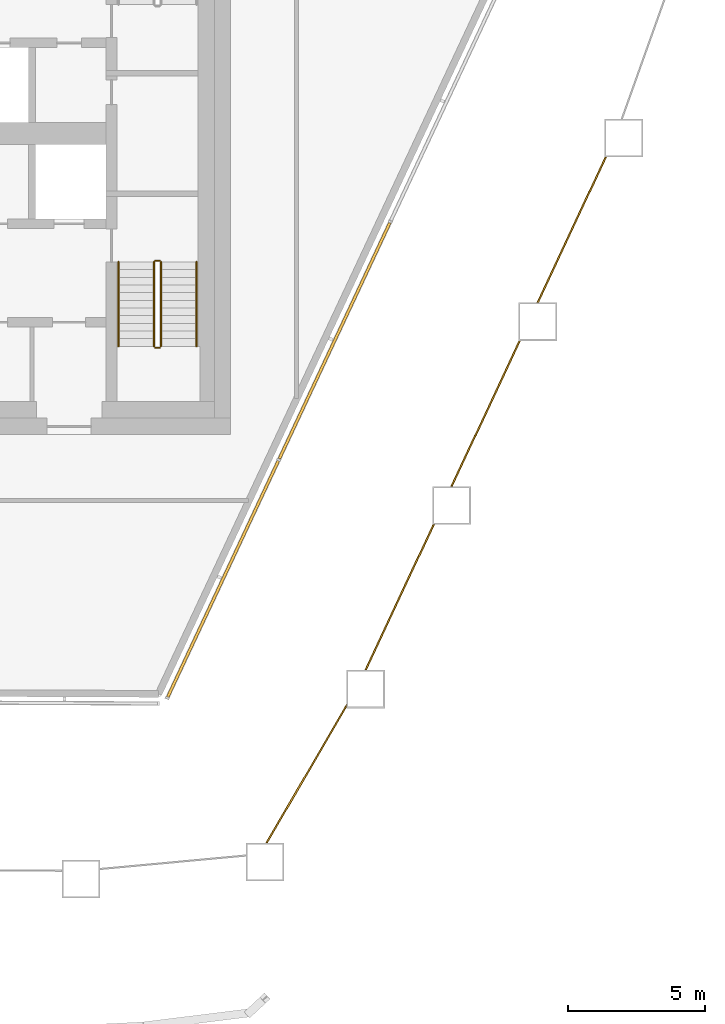
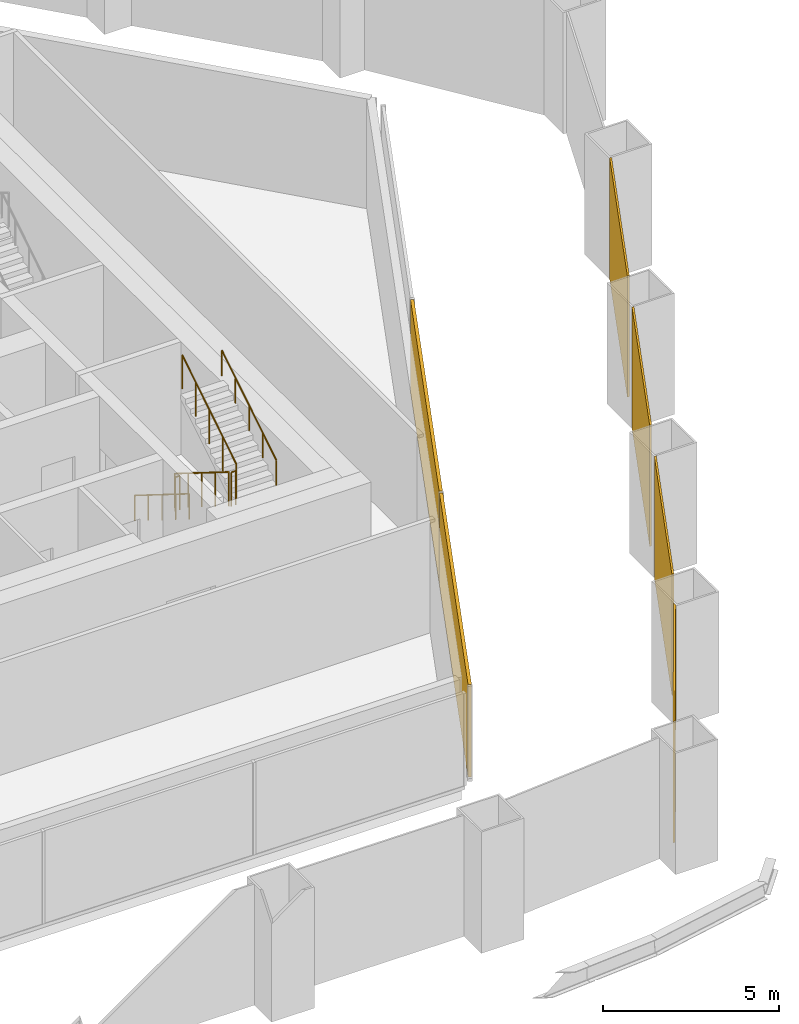
# One storey, part 15 of 18: 6 coverings, 6 railings, 1 element without a shape of its own.
"""IFC4 building model written with IfcOpenShell, lengths in metres."""

from ifc_helpers import new_model, si_unit, direction, frame, origin, origin_2d, place, context, subcontext, project, spatial, polyline, rectangle, circle, outline, extrude, material, layer, layer_set, type_object, element, aggregate, save


model = new_model("IFC4")

# Units and contexts
model_context = context("Model", 3, precision=1e-05, world=origin(), true_north=direction((0.0, 1.0)))
body_context = subcontext(model_context, "Body", "Model", "MODEL_VIEW")
ifc_project = project(units=[si_unit("LENGTHUNIT", "METRE"), si_unit("AREAUNIT", "SQUARE_METRE"), si_unit("VOLUMEUNIT", "CUBIC_METRE"), si_unit("PLANEANGLEUNIT", "RADIAN"), si_unit("MASSUNIT", "GRAM", prefix="KILO")], contexts=[model_context])

# Site, building, storey
site_placement = place(None, origin())
site = spatial("IfcSite", under=ifc_project, at=site_placement, CompositionType="ELEMENT")
building_placement = place(site_placement, origin())
building = spatial("IfcBuilding", under=site, at=building_placement, Name="Dongbaek Canopy Tower", CompositionType="ELEMENT")
storey_placement = place(building_placement, frame((0.0, 0.0, 371.60009765625)))
storey = spatial("IfcBuildingStorey", under=building, at=storey_placement, Name="L80", CompositionType="ELEMENT", Elevation=371.60009765625)

# Coverings
ifc_material_1 = material(Name="Perforated pale metal")
ifc_layer_1 = layer(ifc_material_1, 0.06005859375)
ifc_layer_set_1 = layer_set([ifc_layer_1], Name="Crown plant screen")
covering_type_1 = type_object("IfcCoveringType", Name="Crown plant screen", PredefinedType="CLADDING", material=ifc_layer_set_1)
covering_1_placement = place(storey_placement, origin())
element("IfcCovering", 1, at=covering_1_placement, inside=storey, type_object=covering_type_1, Name="Crown plant screen 9 L80", PredefinedType="CLADDING", context=body_context, shape_type="SweptSolid", body=[
    extrude(outline(polyline([(15.346923828125, -25.906982421875), (15.277587890625, -25.906982421875), (18.22509765625, -20.8427734375), (18.22509765625, -20.9619140625), (15.346923828125, -25.906982421875)])), origin(), (0.0, 0.0, 1.0), 4.199951171875),
])
covering_2_placement = place(storey_placement, origin())
element("IfcCovering", 2, at=covering_2_placement, inside=storey, type_object=covering_type_1, Name="Crown plant screen 10 L80", PredefinedType="CLADDING", context=body_context, shape_type="SweptSolid", body=[
    extrude(outline(polyline([(18.954833984375, -19.595947265625), (18.888671875, -19.595947265625), (21.37548828125, -14.2880859375), (21.44189453125, -14.2880859375), (18.954833984375, -19.595947265625)])), origin(), (0.0, 0.0, 1.0), 4.199951171875),
])
covering_3_placement = place(storey_placement, origin())
element("IfcCovering", 3, at=covering_3_placement, inside=storey, type_object=covering_type_1, Name="Crown plant screen 11 L80", PredefinedType="CLADDING", context=body_context, shape_type="SweptSolid", body=[
    extrude(outline(polyline([(22.09765625, -12.887939453125), (22.031494140625, -12.887939453125), (24.517822265625, -7.5791015625), (24.583984375, -7.5791015625), (22.09765625, -12.887939453125)])), origin(), (0.0, 0.0, 1.0), 4.199951171875),
])
covering_4_placement = place(storey_placement, origin())
element("IfcCovering", 4, at=covering_4_placement, inside=storey, type_object=covering_type_1, Name="Crown plant screen 12 L80", PredefinedType="CLADDING", context=body_context, shape_type="SweptSolid", body=[
    extrude(outline(polyline([(25.239501953125, -6.178955078125), (25.17333984375, -6.178955078125), (27.658935546875, -0.8701171875), (27.72509765625, -0.8701171875), (25.239501953125, -6.178955078125)])), origin(), (0.0, 0.0, 1.0), 4.199951171875),
])

# Curtain wall, coverings
ifc_material_2 = material(Name="Aluminium 6063-T6 pale anodised", Category="aluminium")
ifc_layer_2 = layer(ifc_material_2, 0.14990234375)
ifc_layer_set_2 = layer_set([ifc_layer_2], Name="CW-7 louvre curtain wall")
curtain_wall_type = type_object("IfcCurtainWallType", Name="CW-7 louvre curtain wall", PredefinedType="NOTDEFINED", material=ifc_layer_set_2)
curtain_wall_placement = place(storey_placement, origin())
curtain_wall = element("IfcCurtainWall", 5, at=curtain_wall_placement, inside=storey, type_object=curtain_wall_type, Name="CW-7 louvre wall L80 F1", PredefinedType="NOTDEFINED")
ifc_material_3 = material(Name="Aluminium 6063-T6 pale metal louvre blades", Category="aluminium")
ifc_layer_3 = layer(ifc_material_3, 0.10009765625)
ifc_layer_set_3 = layer_set([ifc_layer_3], Name="Louvre LV bank 100 x 3200")
covering_type_2 = type_object("IfcCoveringType", Name="Louvre LV bank 100 x 3200", PredefinedType="CLADDING", material=ifc_layer_set_3)
covering_5_placement = place(storey_placement, frame((13.72021484375, -16.27001953125, 0.2998046875), z_axis=(0.0, 0.0, 1.0), x_axis=(0.42412286138, 0.905604659029, 0.0)))
covering_5 = element("IfcCovering", 6, at=covering_5_placement, type_object=covering_type_2, Name="Louvre L80 F1.1.1", PredefinedType="CLADDING", context=body_context, shape_type="SweptSolid", body=[
    extrude(rectangle(XDim=9.510498046875, YDim=0.10009765625, at=origin_2d()), origin(), (0.0, 0.0, 1.0), 3.199951171875),
])
covering_6_placement = place(storey_placement, frame((17.7919921875, -7.575927734375, 0.2998046875), z_axis=(0.0, 0.0, 1.0), x_axis=(0.42412286138, 0.905604659029, 0.0)))
covering_6 = element("IfcCovering", 7, at=covering_6_placement, type_object=covering_type_2, Name="Louvre L80 F1.1.2", PredefinedType="CLADDING", context=body_context, shape_type="SweptSolid", body=[
    extrude(rectangle(XDim=9.510498046875, YDim=0.10009765625, at=origin_2d()), origin(), (0.0, 0.0, 1.0), 3.199951171875),
])
aggregate(curtain_wall, [covering_5, covering_6])

# Railings
ifc_material_4 = material(Name="Stainless steel tube and balusters", Category="steel")
railing_type_1 = type_object("IfcRailingType", Name="Stair guard 1200", PredefinedType="GUARDRAIL", material=ifc_material_4)
railing_1_placement = place(storey_placement, frame((11.199951171875, -4.699951171875, 0.1748046875)))
element("IfcRailing", 8, at=railing_1_placement, inside=storey, type_object=railing_type_1, Name="L80 ST-B stair guard 1", PredefinedType="GUARDRAIL", context=body_context, shape_type="SweptSolid", body=[
    extrude(circle(Radius=0.02392578125, at=origin_2d()), frame((0.0, 0.0, 1.17578125), z_axis=(0.0, -0.847998304005, 0.529998940003), x_axis=(1.0, 0.0, 0.0)), (0.0, 0.0, 1.0), 3.632080078125),
    extrude(circle(Radius=0.02099609375, at=origin_2d()), origin(), (0.0, 0.0, 1.0), 1.15185546875),
    extrude(circle(Radius=0.02099609375, at=origin_2d()), frame((0.0, -0.77001953125, 0.481201171875)), (0.0, 0.0, 1.0), 1.15185546875),
    extrude(circle(Radius=0.02099609375, at=origin_2d()), frame((0.0, -1.5400390625, 0.96240234375)), (0.0, 0.0, 1.0), 1.15185546875),
    extrude(circle(Radius=0.02099609375, at=origin_2d()), frame((0.0, -2.31005859375, 1.44384765625)), (0.0, 0.0, 1.0), 1.15185546875),
    extrude(circle(Radius=0.02099609375, at=origin_2d()), frame((0.0, -3.080078125, 1.925048828125)), (0.0, 0.0, 1.0), 1.15185546875),
])
railing_2_placement = place(storey_placement, frame((11.25, -7.830078125, 2.099853515625)))
element("IfcRailing", 9, at=railing_2_placement, inside=storey, type_object=railing_type_1, Name="L80 ST-B stair guard 2", PredefinedType="GUARDRAIL", context=body_context, shape_type="SweptSolid", body=[
    extrude(circle(Radius=0.02392578125, at=origin_2d()), frame((0.0, 0.0, 1.17578125), z_axis=(1.0, 0.0, 0.0), x_axis=(0.0, 1.0, 0.0)), (0.0, 0.0, 1.0), 0.14990234375),
    extrude(circle(Radius=0.02099609375, at=origin_2d()), origin(), (0.0, 0.0, 1.0), 1.15185546875),
    extrude(circle(Radius=0.02099609375, at=origin_2d()), frame((0.14990234375, 0.0, 0.0)), (0.0, 0.0, 1.0), 1.15185546875),
])
railing_3_placement = place(storey_placement, frame((11.449951171875, -7.780029296875, 2.27490234375)))
element("IfcRailing", 10, at=railing_3_placement, inside=storey, type_object=railing_type_1, Name="L80 ST-B stair guard 3", PredefinedType="GUARDRAIL", context=body_context, shape_type="SweptSolid", body=[
    extrude(circle(Radius=0.02392578125, at=origin_2d()), frame((0.0, 0.0, 1.17578125), z_axis=(0.0, 0.847998304005, 0.529998940003), x_axis=(-1.0, 0.0, 0.0)), (0.0, 0.0, 1.0), 3.632080078125),
    extrude(circle(Radius=0.02099609375, at=origin_2d()), origin(), (0.0, 0.0, 1.0), 1.15185546875),
    extrude(circle(Radius=0.02099609375, at=origin_2d()), frame((0.0, 0.77001953125, 0.481201171875)), (0.0, 0.0, 1.0), 1.15185546875),
    extrude(circle(Radius=0.02099609375, at=origin_2d()), frame((0.0, 1.5400390625, 0.96240234375)), (0.0, 0.0, 1.0), 1.15185546875),
    extrude(circle(Radius=0.02099609375, at=origin_2d()), frame((0.0, 2.31005859375, 1.44384765625)), (0.0, 0.0, 1.0), 1.15185546875),
    extrude(circle(Radius=0.02099609375, at=origin_2d()), frame((0.0, 3.080078125, 1.925048828125)), (0.0, 0.0, 1.0), 1.15185546875),
])
railing_4_placement = place(storey_placement, frame((11.25, -4.64990234375, 0.0)))
element("IfcRailing", 11, at=railing_4_placement, inside=storey, type_object=railing_type_1, Name="L80 ST-B stair guard 4", PredefinedType="GUARDRAIL", context=body_context, shape_type="SweptSolid", body=[
    extrude(circle(Radius=0.02392578125, at=origin_2d()), frame((0.0, 0.0, 1.17578125), z_axis=(1.0, 0.0, 0.0), x_axis=(0.0, 1.0, 0.0)), (0.0, 0.0, 1.0), 0.14990234375),
    extrude(circle(Radius=0.02099609375, at=origin_2d()), origin(), (0.0, 0.0, 1.0), 1.15185546875),
    extrude(circle(Radius=0.02099609375, at=origin_2d()), frame((0.14990234375, 0.0, 0.0)), (0.0, 0.0, 1.0), 1.15185546875),
])
ifc_material_5 = material(Name="Stainless steel tube", Category="steel")
railing_type_2 = type_object("IfcRailingType", Name="Stair handrail 900", PredefinedType="HANDRAIL", material=ifc_material_5)
railing_5_placement = place(storey_placement, frame((9.89990234375, -4.699951171875, 0.1748046875)))
element("IfcRailing", 12, at=railing_5_placement, inside=storey, type_object=railing_type_2, Name="L80 ST-B stair handrail 1", PredefinedType="HANDRAIL", context=body_context, shape_type="SweptSolid", body=[
    extrude(circle(Radius=0.02392578125, at=origin_2d()), frame((0.0, 0.0, 0.8759765625), z_axis=(0.0, -0.847998304005, 0.529998940003), x_axis=(1.0, 0.0, 0.0)), (0.0, 0.0, 1.0), 3.632080078125),
    extrude(circle(Radius=0.02099609375, at=origin_2d()), origin(), (0.0, 0.0, 1.0), 0.851806640625),
    extrude(circle(Radius=0.02099609375, at=origin_2d()), frame((0.0, -0.77001953125, 0.481201171875)), (0.0, 0.0, 1.0), 0.851806640625),
    extrude(circle(Radius=0.02099609375, at=origin_2d()), frame((0.0, -1.5400390625, 0.96240234375)), (0.0, 0.0, 1.0), 0.851806640625),
    extrude(circle(Radius=0.02099609375, at=origin_2d()), frame((0.0, -2.31005859375, 1.44384765625)), (0.0, 0.0, 1.0), 0.851806640625),
    extrude(circle(Radius=0.02099609375, at=origin_2d()), frame((0.0, -3.080078125, 1.925048828125)), (0.0, 0.0, 1.0), 0.851806640625),
])
railing_6_placement = place(storey_placement, frame((12.75, -7.780029296875, 2.27490234375)))
element("IfcRailing", 13, at=railing_6_placement, inside=storey, type_object=railing_type_2, Name="L80 ST-B stair handrail 2", PredefinedType="HANDRAIL", context=body_context, shape_type="SweptSolid", body=[
    extrude(circle(Radius=0.02392578125, at=origin_2d()), frame((0.0, 0.0, 0.8759765625), z_axis=(0.0, 0.847998304005, 0.529998940003), x_axis=(-1.0, 0.0, 0.0)), (0.0, 0.0, 1.0), 3.632080078125),
    extrude(circle(Radius=0.02099609375, at=origin_2d()), origin(), (0.0, 0.0, 1.0), 0.851806640625),
    extrude(circle(Radius=0.02099609375, at=origin_2d()), frame((0.0, 0.77001953125, 0.481201171875)), (0.0, 0.0, 1.0), 0.851806640625),
    extrude(circle(Radius=0.02099609375, at=origin_2d()), frame((0.0, 1.5400390625, 0.96240234375)), (0.0, 0.0, 1.0), 0.851806640625),
    extrude(circle(Radius=0.02099609375, at=origin_2d()), frame((0.0, 2.31005859375, 1.44384765625)), (0.0, 0.0, 1.0), 0.851806640625),
    extrude(circle(Radius=0.02099609375, at=origin_2d()), frame((0.0, 3.080078125, 1.925048828125)), (0.0, 0.0, 1.0), 0.851806640625),
])

save(model, "model.ifc")
